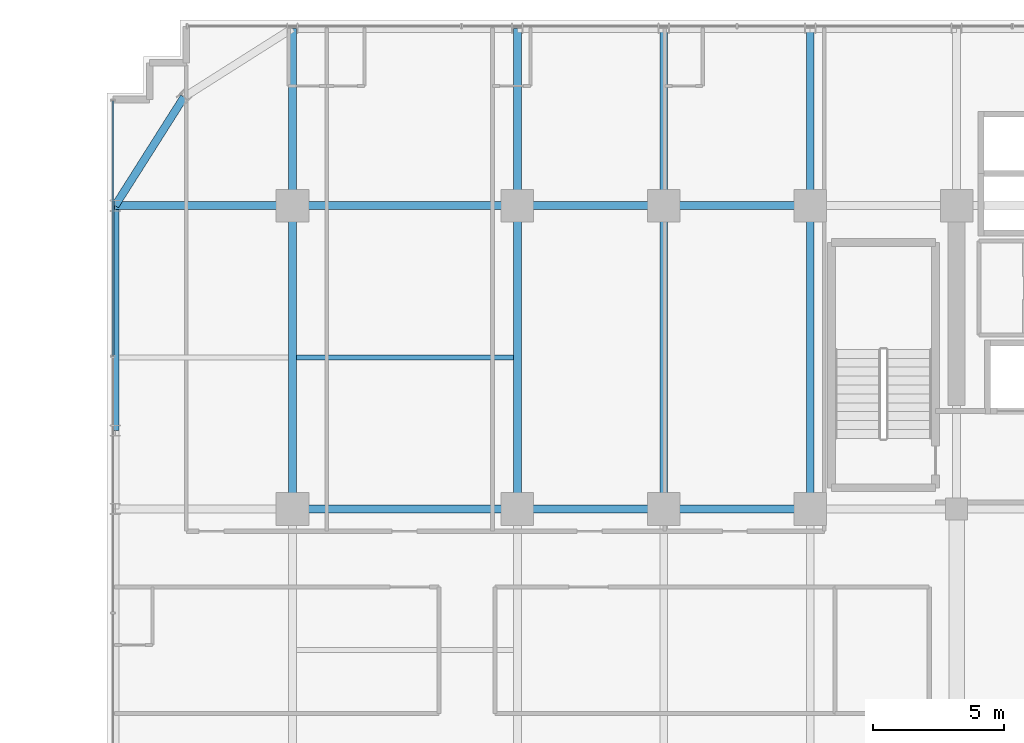
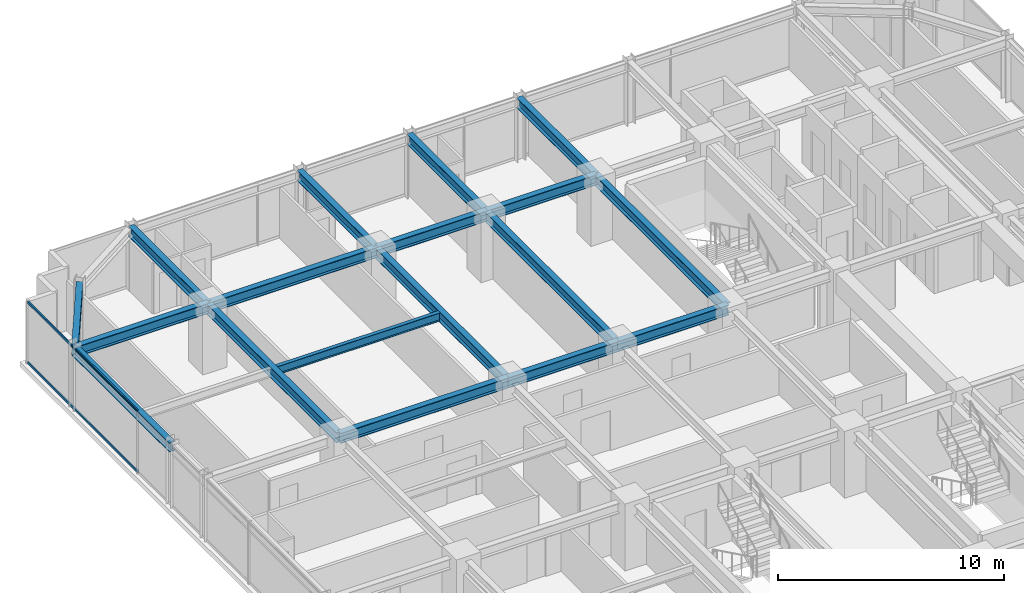
# One storey, part 18 of 32: 18 beams, 2 members, 1 element without a shape of its own.
"""IFC4 building model written with IfcOpenShell, lengths in metres."""

from ifc_helpers import new_model, si_unit, direction, frame, origin, origin_2d, place, context, subcontext, project, spatial, hollow_rectangle, i_section, extrude, source, transform, mapped, material, material_profile, profile_set, type_object, element, aggregate, save


model = new_model("IFC4")

# Units and contexts
model_context = context("Model", 3, precision=1e-05, world=origin(), true_north=direction((0.0, 1.0)))
body_context = subcontext(model_context, "Body", "Model", "MODEL_VIEW")
ifc_project = project(units=[si_unit("LENGTHUNIT", "METRE"), si_unit("AREAUNIT", "SQUARE_METRE"), si_unit("VOLUMEUNIT", "CUBIC_METRE"), si_unit("PLANEANGLEUNIT", "RADIAN"), si_unit("MASSUNIT", "GRAM", prefix="KILO")], contexts=[model_context])

# Site, building, storey
site_placement = place(None, origin())
site = spatial("IfcSite", under=ifc_project, at=site_placement, CompositionType="ELEMENT")
building_placement = place(site_placement, origin())
building = spatial("IfcBuilding", under=site, at=building_placement, Name="Nahalor Promenade Grand Hotel", CompositionType="ELEMENT")
storey_placement = place(building_placement, frame((0.0, 0.0, 124.800048828125)))
storey = spatial("IfcBuildingStorey", under=building, at=storey_placement, Name="L31", CompositionType="ELEMENT", Elevation=124.800048828125)

# Beams
ifc_material_1 = material(Name="Steel S355JR", Category="steel")
ifc_material_profile_1 = material_profile(ifc_material_1, i_section(OverallWidth=0.3, OverallDepth=0.5, WebThickness=0.0145, FlangeThickness=0.028, at=origin_2d()), Name="HEB 500")
ifc_profile_set_1 = profile_set([ifc_material_profile_1], Name="Steel S355JR")
beam_type_1 = type_object("IfcBeamType", Name="Beam-Spandrel-HEB500", PredefinedType="SPANDREL", material=ifc_profile_set_1)
shared_shape_1 = source(origin(), body_context, "Body", "SweptSolid", [
    extrude(i_section(OverallWidth=0.3, OverallDepth=0.5, WebThickness=0.0145, FlangeThickness=0.028, at=origin_2d()), origin(), (0.0, 0.0, 1.0), 8.60009765625),
])
beam_1_placement = place(storey_placement, frame((-23.780029296875, 8.39990234375, 3.1298828125), z_axis=(0.0, 1.0, 0.0), x_axis=(-1.0, 0.0, 0.0)))
element("IfcBeam", 1, at=beam_1_placement, inside=storey, type_object=beam_type_1, Name="BM-L31-SP-W-4", PredefinedType="SPANDREL", context=body_context, shape_type="MappedRepresentation", body=[
    mapped(shared_shape_1, transform((0.0, 0.0, 0.0), scale=1.0)),
])
shared_shape_2 = source(origin(), body_context, "Body", "SweptSolid", [
    extrude(i_section(OverallWidth=0.3, OverallDepth=0.5, WebThickness=0.0145, FlangeThickness=0.028, at=origin_2d()), origin(), (0.0, 0.0, 1.0), 4.9130859375),
])
beam_2_placement = place(storey_placement, frame((-21.14990234375, 21.14990234375, 3.1298828125), z_axis=(-0.535321591403, -0.844648325505, 0.0), x_axis=(0.844648325505, -0.535321591403, 0.0)))
element("IfcBeam", 2, at=beam_2_placement, inside=storey, type_object=beam_type_1, Name="BM-L31-SPC-NW-2", PredefinedType="SPANDREL", context=body_context, shape_type="MappedRepresentation", body=[
    mapped(shared_shape_2, transform((0.0, 0.0, 0.0), scale=1.0)),
])
ifc_material_profile_2 = material_profile(ifc_material_1, i_section(OverallWidth=0.3, OverallDepth=0.55, WebThickness=0.015, FlangeThickness=0.029, at=origin_2d()), Name="HEB 550")
ifc_profile_set_2 = profile_set([ifc_material_profile_2], Name="Steel S355JR")
beam_type_2 = type_object("IfcBeamType", Name="Beam-Girder-HEB550", PredefinedType="BEAM", material=ifc_profile_set_2)
shared_shape_3 = source(origin(), body_context, "Body", "SweptSolid", [
    extrude(i_section(OverallWidth=0.3, OverallDepth=0.55, WebThickness=0.015, FlangeThickness=0.029, at=origin_2d()), origin(), (0.0, 0.0, 1.0), 6.780029296875),
])
for number, where, z_axis, x_axis, name in (
    (3, (-23.780029296875, 17.0, 3.10498046875), (1.0, 0.0, 0.0), (0.0, 1.0, 0.0), "BM-L31-GX-3-0"),
    (4, (-17.0, 17.0, 3.10498046875), (0.0, 1.0, 0.0), (-1.0, 0.0, 0.0), "BM-L31-GY-0-4"),
    (5, (-8.39990234375, 17.0, 3.10498046875), (0.0, 1.0, 0.0), (-1.0, 0.0, 0.0), "BM-L31-GY-1-4"),
    (6, (-2.800048828125, 17.0, 3.10498046875), (0.0, 1.0, 0.0), (-1.0, 0.0, 0.0), "BM-L31-GY-2-4"),
    (7, (2.800048828125, 17.0, 3.10498046875), (0.0, 1.0, 0.0), (-1.0, 0.0, 0.0), "BM-L31-GY-3-4"),
):
    element("IfcBeam", number, at=place(storey_placement, frame(where, z_axis=z_axis, x_axis=x_axis)), inside=storey, type_object=beam_type_2, Name=name, PredefinedType="BEAM", context=body_context, shape_type="MappedRepresentation", body=[
        mapped(shared_shape_3, transform((0.0, 0.0, 0.0), scale=1.0)),
    ])
shared_shape_4 = source(origin(), body_context, "Body", "SweptSolid", [
    extrude(i_section(OverallWidth=0.3, OverallDepth=0.55, WebThickness=0.015, FlangeThickness=0.029, at=origin_2d()), origin(), (0.0, 0.0, 1.0), 8.60009765625),
])
for number, where, z_axis, x_axis, name in (
    (8, (-17.0, 5.39990234375, 3.10498046875), (1.0, 0.0, 0.0), (0.0, 1.0, 0.0), "BM-L31-GX-2-1"),
    (9, (-17.0, 17.0, 3.10498046875), (1.0, 0.0, 0.0), (0.0, 1.0, 0.0), "BM-L31-GX-3-1"),
):
    element("IfcBeam", number, at=place(storey_placement, frame(where, z_axis=z_axis, x_axis=x_axis)), inside=storey, type_object=beam_type_2, Name=name, PredefinedType="BEAM", context=body_context, shape_type="MappedRepresentation", body=[
        mapped(shared_shape_4, transform((0.0, 0.0, 0.0), scale=1.0)),
    ])
shared_shape_5 = source(origin(), body_context, "Body", "SweptSolid", [
    extrude(i_section(OverallWidth=0.3, OverallDepth=0.55, WebThickness=0.015, FlangeThickness=0.029, at=origin_2d()), origin(), (0.0, 0.0, 1.0), 5.599853515625),
])
for number, where, z_axis, x_axis, name in (
    (10, (-8.39990234375, 5.39990234375, 3.10498046875), (1.0, 0.0, 0.0), (0.0, 1.0, 0.0), "BM-L31-GX-2-2"),
    (11, (-8.39990234375, 17.0, 3.10498046875), (1.0, 0.0, 0.0), (0.0, 1.0, 0.0), "BM-L31-GX-3-2"),
):
    element("IfcBeam", number, at=place(storey_placement, frame(where, z_axis=z_axis, x_axis=x_axis)), inside=storey, type_object=beam_type_2, Name=name, PredefinedType="BEAM", context=body_context, shape_type="MappedRepresentation", body=[
        mapped(shared_shape_5, transform((0.0, 0.0, 0.0), scale=1.0)),
    ])
shared_shape_6 = source(origin(), body_context, "Body", "SweptSolid", [
    extrude(i_section(OverallWidth=0.3, OverallDepth=0.55, WebThickness=0.015, FlangeThickness=0.029, at=origin_2d()), origin(), (0.0, 0.0, 1.0), 5.60009765625),
])
for number, where, z_axis, x_axis, name in (
    (12, (-2.800048828125, 5.39990234375, 3.10498046875), (1.0, 0.0, 0.0), (0.0, 1.0, 0.0), "BM-L31-GX-2-3"),
    (13, (-2.800048828125, 17.0, 3.10498046875), (1.0, 0.0, 0.0), (0.0, 1.0, 0.0), "BM-L31-GX-3-3"),
):
    element("IfcBeam", number, at=place(storey_placement, frame(where, z_axis=z_axis, x_axis=x_axis)), inside=storey, type_object=beam_type_2, Name=name, PredefinedType="BEAM", context=body_context, shape_type="MappedRepresentation", body=[
        mapped(shared_shape_6, transform((0.0, 0.0, 0.0), scale=1.0)),
    ])
shared_shape_7 = source(origin(), body_context, "Body", "SweptSolid", [
    extrude(i_section(OverallWidth=0.3, OverallDepth=0.55, WebThickness=0.015, FlangeThickness=0.029, at=origin_2d()), origin(), (0.0, 0.0, 1.0), 11.60009765625),
])
for number, where, z_axis, x_axis, name in (
    (14, (-17.0, 5.39990234375, 3.10498046875), (0.0, 1.0, 0.0), (-1.0, 0.0, 0.0), "BM-L31-GY-0-3"),
    (15, (-8.39990234375, 5.39990234375, 3.10498046875), (0.0, 1.0, 0.0), (-1.0, 0.0, 0.0), "BM-L31-GY-1-3"),
    (16, (-2.800048828125, 5.39990234375, 3.10498046875), (0.0, 1.0, 0.0), (-1.0, 0.0, 0.0), "BM-L31-GY-2-3"),
    (17, (2.800048828125, 5.39990234375, 3.10498046875), (0.0, 1.0, 0.0), (-1.0, 0.0, 0.0), "BM-L31-GY-3-3"),
):
    element("IfcBeam", number, at=place(storey_placement, frame(where, z_axis=z_axis, x_axis=x_axis)), inside=storey, type_object=beam_type_2, Name=name, PredefinedType="BEAM", context=body_context, shape_type="MappedRepresentation", body=[
        mapped(shared_shape_7, transform((0.0, 0.0, 0.0), scale=1.0)),
    ])
ifc_material_profile_3 = material_profile(ifc_material_1, i_section(OverallWidth=0.19, OverallDepth=0.45, WebThickness=0.0094, FlangeThickness=0.0146, at=origin_2d()), Name="IPE 450")
ifc_profile_set_3 = profile_set([ifc_material_profile_3], Name="Steel S355JR")
beam_type_3 = type_object("IfcBeamType", Name="Beam-Joist-IPE450", PredefinedType="JOIST", material=ifc_profile_set_3)
shared_shape_8 = source(origin(), body_context, "Body", "SweptSolid", [
    extrude(i_section(OverallWidth=0.19, OverallDepth=0.45, WebThickness=0.0094, FlangeThickness=0.0146, at=origin_2d()), origin(), (0.0, 0.0, 1.0), 8.300048828125),
])
beam_3_placement = place(storey_placement, frame((-16.85009765625, 11.199951171875, 3.155029296875), z_axis=(1.0, 0.0, 0.0), x_axis=(0.0, 1.0, 0.0)))
element("IfcBeam", 18, at=beam_3_placement, inside=storey, type_object=beam_type_3, Name="BM-L31-JSW-1-1", PredefinedType="JOIST", context=body_context, shape_type="MappedRepresentation", body=[
    mapped(shared_shape_8, transform((0.0, 0.0, 0.0), scale=1.0)),
])

# Curtain wall, members
ifc_material_2 = material(Name="Anodised Bronze Aluminium EN AW-6063 T6", Category="aluminium")
curtain_wall_type = type_object("IfcCurtainWallType", Name="CW2 Typical Hotel Flush Bronze Unitised Curtain Wall", PredefinedType="USERDEFINED", material=ifc_material_2)
curtain_wall_placement = place(storey_placement, origin())
curtain_wall = element("IfcCurtainWall", 19, at=curtain_wall_placement, inside=storey, type_object=curtain_wall_type, Name="L31 Curtain Wall CW-L31-W-3", ObjectType="UNITISED_CURTAIN_WALL", PredefinedType="USERDEFINED")
ifc_material_profile_4 = material_profile(ifc_material_2, hollow_rectangle(XDim=0.065, YDim=0.13, WallThickness=0.004, at=origin_2d()), Name="CWT 65x130x4")
ifc_profile_set_4 = profile_set([ifc_material_profile_4], Name="Anodised Bronze Aluminium EN AW-6063 T6")
member_type = type_object("IfcMemberType", Name="CWT2 Typical Bronze Transom 65x130", PredefinedType="USERDEFINED", material=ifc_profile_set_4)
shared_shape_9 = source(origin(), body_context, "Body", "SweptSolid", [
    extrude(hollow_rectangle(XDim=0.065, YDim=0.13, WallThickness=0.004, at=origin_2d()), origin(), (0.0, 0.0, 1.0), 9.72265625),
])
member_1_placement = place(storey_placement, frame((-23.860107421875, 11.2724609375, 0.06494140625), z_axis=(0.0, 1.0, 0.0), x_axis=(-1.0, 0.0, 0.0)))
member_1 = element("IfcMember", 20, at=member_1_placement, type_object=member_type, Name="CW-L31-W-3 Transom 2-0", ObjectType="TRANSOM", PredefinedType="USERDEFINED", context=body_context, shape_type="MappedRepresentation", body=[
    mapped(shared_shape_9, transform((0.0, 0.0, 0.0), scale=1.0)),
])
member_2_placement = place(storey_placement, frame((-23.860107421875, 11.2724609375, 3.31494140625), z_axis=(0.0, 1.0, 0.0), x_axis=(-1.0, 0.0, 0.0)))
member_2 = element("IfcMember", 21, at=member_2_placement, type_object=member_type, Name="CW-L31-W-3 Transom 2-1", ObjectType="TRANSOM", PredefinedType="USERDEFINED", context=body_context, shape_type="MappedRepresentation", body=[
    mapped(shared_shape_9, transform((0.0, 0.0, 0.0), scale=1.0)),
])
aggregate(curtain_wall, [member_1, member_2])

save(model, "model.ifc")
